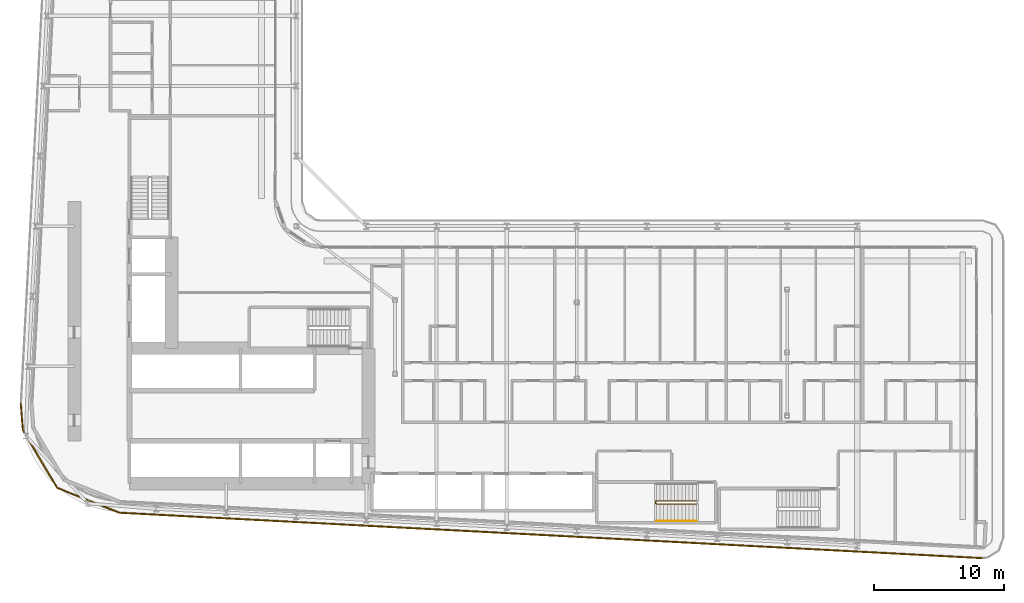
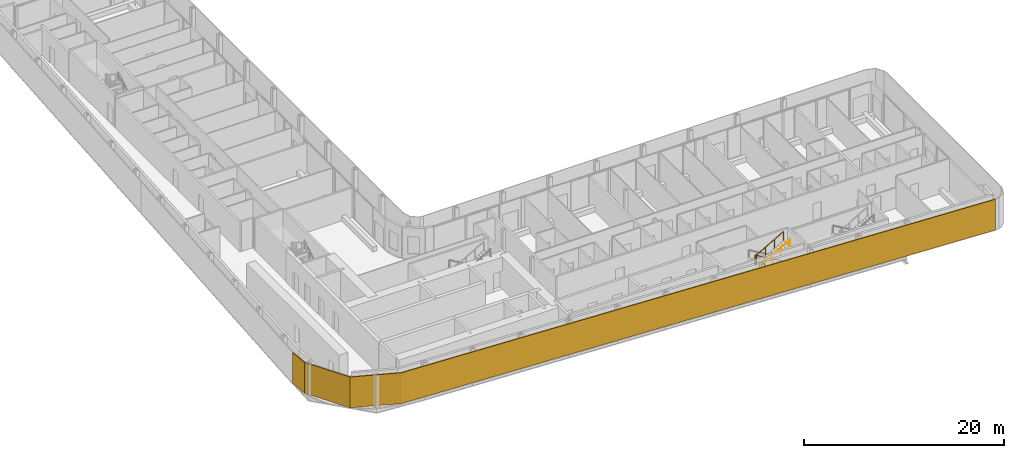
# One storey, part 24 of 28: 2 railings, 1 shading device.
"""IFC4 building model written with IfcOpenShell, lengths in metres."""

from ifc_helpers import new_model, si_unit, direction, frame, origin, origin_2d, place, context, subcontext, project, spatial, polyline, circle, outline, extrude, material, layer, layer_set, type_object, element, save


model = new_model("IFC4")

# Units and contexts
model_context = context("Model", 3, precision=1e-05, world=origin(), true_north=direction((0.0, 1.0)))
body_context = subcontext(model_context, "Body", "Model", "MODEL_VIEW")
ifc_project = project(units=[si_unit("LENGTHUNIT", "METRE"), si_unit("AREAUNIT", "SQUARE_METRE"), si_unit("VOLUMEUNIT", "CUBIC_METRE"), si_unit("PLANEANGLEUNIT", "RADIAN"), si_unit("MASSUNIT", "GRAM", prefix="KILO")], contexts=[model_context])

# Site, building, storey
site_placement = place(None, origin())
site = spatial("IfcSite", under=ifc_project, at=site_placement, CompositionType="ELEMENT")
building_placement = place(site_placement, origin())
building = spatial("IfcBuilding", under=site, at=building_placement, Name="Kheshtan School and Residences Tower", CompositionType="ELEMENT")
storey_placement = place(building_placement, frame((0.0, 0.0, 73.39990234375)))
storey = spatial("IfcBuildingStorey", under=building, at=storey_placement, Name="L17", CompositionType="ELEMENT", Elevation=73.39990234375)

# Shading device
ifc_material_1 = material(Name="Terracotta baguette, extruded ceramic", Category="masonry")
ifc_layer = layer(ifc_material_1, 0.10009765625)
ifc_layer_set = layer_set([ifc_layer], Name="Ledge screen, terracotta baguettes")
shading_device_type = type_object("IfcShadingDeviceType", Name="Ledge screen, terracotta baguettes", PredefinedType="USERDEFINED", material=ifc_layer_set)
shading_device_placement = place(storey_placement, origin())
element("IfcShadingDevice", 1, at=shading_device_placement, inside=storey, type_object=shading_device_type, Name="Screen L17 3", ObjectType="BAGUETTE", PredefinedType="USERDEFINED", context=body_context, shape_type="SweptSolid", body=[
    extrude(outline(polyline([(100.4208984375, 20.0830078125), (33.989013671875, 23.580078125), (29.2119140625, 25.486083984375), (26.583984375, 29.906982421875), (26.419921875, 31.989013671875), (26.320068359375, 31.98095703125), (26.486083984375, 29.8759765625), (29.14306640625, 25.406005859375), (33.967041015625, 23.48095703125), (100.416015625, 19.98291015625), (100.4208984375, 20.0830078125)])), origin(), (0.0, 0.0, 1.0), 3.75),
])

# Railings
ifc_material_2 = material(Name="Stainless steel balustrade", Category="steel")
railing_type_1 = type_object("IfcRailingType", Name="Stair guard 1100", PredefinedType="GUARDRAIL", material=ifc_material_2)
railing_1_placement = place(storey_placement, frame((78.409912109375, 24.449951171875, 0.16259765625)))
element("IfcRailing", 2, at=railing_1_placement, inside=storey, type_object=railing_type_1, Name="L17 ST5 stair guard 1", PredefinedType="GUARDRAIL", context=body_context, shape_type="SweptSolid", body=[
    extrude(circle(Radius=0.02392578125, at=origin_2d()), frame((0.0, 0.0, 1.076171875), z_axis=(-0.864873446163, 0.0, 0.501989962173), x_axis=(0.0, -1.0, 0.0)), (0.0, 0.0, 1.0), 3.56103515625),
    extrude(circle(Radius=0.02392578125, at=origin_2d()), frame((-3.079833984375, 0.0, 2.86376953125), z_axis=(-0.707106781187, -0.707106781187, 0.0), x_axis=(0.707106781187, -0.707106781187, 0.0)), (0.0, 0.0, 1.0), 0.07080078125),
    extrude(circle(Radius=0.02392578125, at=origin_2d()), frame((-3.1298828125, -0.050048828125, 2.86376953125), z_axis=(0.0, -1.0, 0.0), x_axis=(1.0, 0.0, 0.0)), (0.0, 0.0, 1.0), 0.14990234375),
    extrude(circle(Radius=0.02392578125, at=origin_2d()), frame((-3.1298828125, -0.199951171875, 2.86376953125), z_axis=(0.282583949758, -0.282583949758, 0.916674763849), x_axis=(0.707106781187, 0.707106781187, 0.0)), (0.0, 0.0, 1.0), 0.177001953125),
    extrude(circle(Radius=0.02392578125, at=origin_2d()), frame((-3.079833984375, -0.25, 3.02587890625), z_axis=(0.864873446163, 0.0, 0.501989962173), x_axis=(0.0, 1.0, 0.0)), (0.0, 0.0, 1.0), 3.56103515625),
    extrude(circle(Radius=0.02099609375, at=origin_2d()), origin(), (0.0, 0.0, 1.0), 1.052001953125),
    extrude(circle(Radius=0.02099609375, at=origin_2d()), frame((-1.026611328125, 0.0, 0.595947265625)), (0.0, 0.0, 1.0), 1.052001953125),
    extrude(circle(Radius=0.02099609375, at=origin_2d()), frame((-2.05322265625, 0.0, 1.191650390625)), (0.0, 0.0, 1.0), 1.052001953125),
    extrude(circle(Radius=0.02099609375, at=origin_2d()), frame((-3.079833984375, 0.0, 1.78759765625)), (0.0, 0.0, 1.0), 1.052001953125),
    extrude(circle(Radius=0.02099609375, at=origin_2d()), frame((-3.1298828125, -0.050048828125, 1.78759765625)), (0.0, 0.0, 1.0), 1.052001953125),
    extrude(circle(Radius=0.02099609375, at=origin_2d()), frame((-3.1298828125, -0.199951171875, 1.78759765625)), (0.0, 0.0, 1.0), 1.052001953125),
    extrude(circle(Radius=0.02099609375, at=origin_2d()), frame((-3.079833984375, -0.25, 1.949951171875)), (0.0, 0.0, 1.0), 1.052001953125),
    extrude(circle(Radius=0.02099609375, at=origin_2d()), frame((-2.05322265625, -0.25, 2.5458984375)), (0.0, 0.0, 1.0), 1.052001953125),
    extrude(circle(Radius=0.02099609375, at=origin_2d()), frame((-1.026611328125, -0.25, 3.1416015625)), (0.0, 0.0, 1.0), 1.052001953125),
    extrude(circle(Radius=0.02099609375, at=origin_2d()), frame((0.0, -0.25, 3.737548828125)), (0.0, 0.0, 1.0), 1.052001953125),
])
ifc_material_3 = material(Name="Stainless steel handrail", Category="steel")
railing_type_2 = type_object("IfcRailingType", Name="Stair handrail 900", PredefinedType="HANDRAIL", material=ifc_material_3)
railing_2_placement = place(storey_placement, frame((75.330078125, 22.89990234375, 2.112548828125)))
element("IfcRailing", 3, at=railing_2_placement, inside=storey, type_object=railing_type_2, Name="L17 ST5 stair handrail 2", PredefinedType="HANDRAIL", context=body_context, shape_type="SweptSolid", body=[
    extrude(circle(Radius=0.02392578125, at=origin_2d()), frame((0.0, 0.0, 0.8759765625), z_axis=(0.864873446163, 0.0, 0.501989962173), x_axis=(0.0, 1.0, 0.0)), (0.0, 0.0, 1.0), 3.56103515625),
    extrude(circle(Radius=0.02099609375, at=origin_2d()), origin(), (0.0, 0.0, 1.0), 0.851806640625),
    extrude(circle(Radius=0.02099609375, at=origin_2d()), frame((1.026611328125, 0.0, 0.595947265625)), (0.0, 0.0, 1.0), 0.851806640625),
    extrude(circle(Radius=0.02099609375, at=origin_2d()), frame((2.05322265625, 0.0, 1.191650390625)), (0.0, 0.0, 1.0), 0.851806640625),
    extrude(circle(Radius=0.02099609375, at=origin_2d()), frame((3.079833984375, 0.0, 1.78759765625)), (0.0, 0.0, 1.0), 0.851806640625),
])

save(model, "model.ifc")
